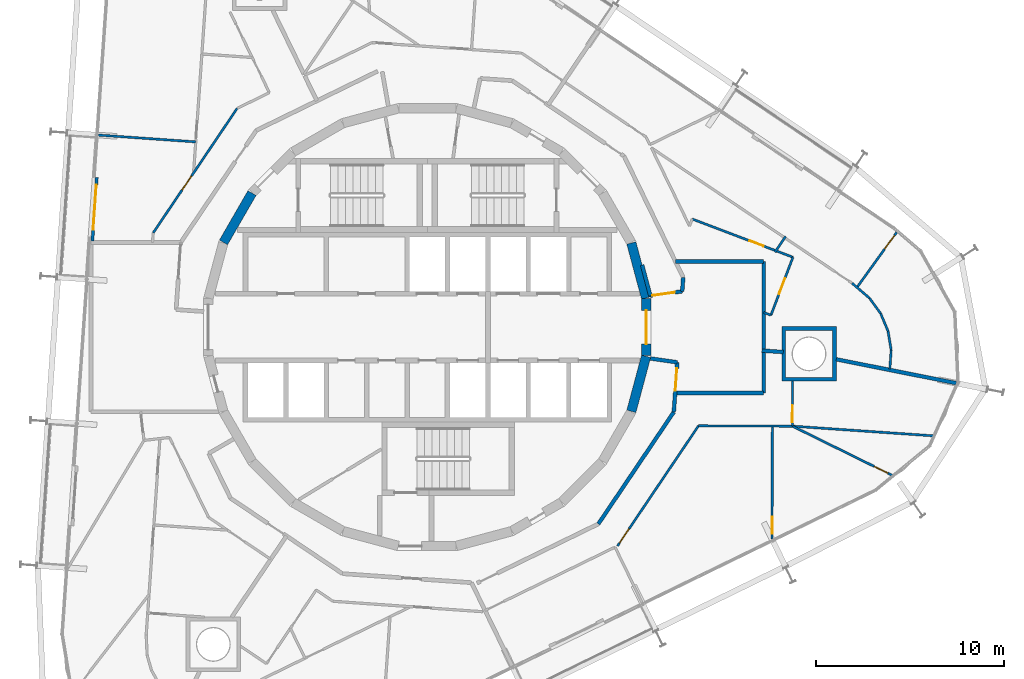
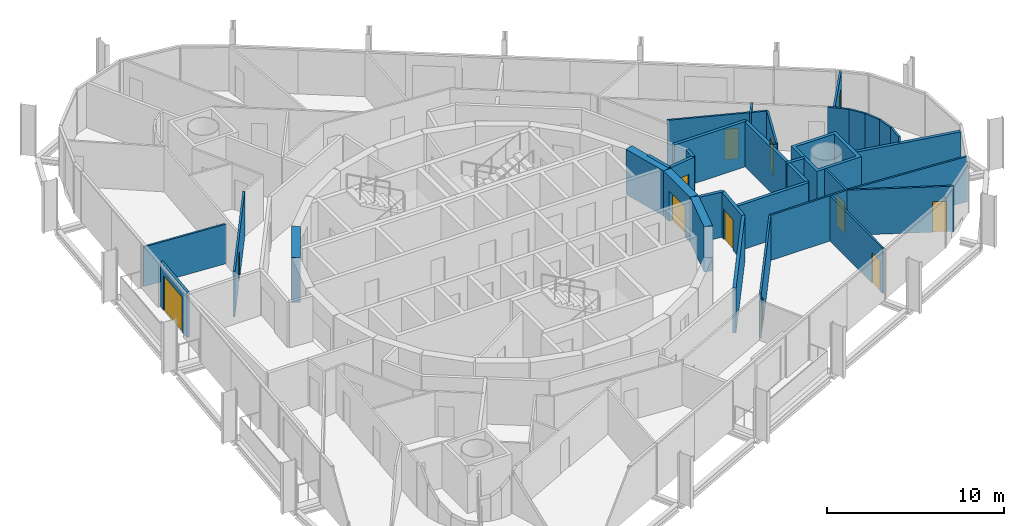
# One storey, part 14 of 17: 35 walls, 12 doors, 12 openings.
"""IFC4 building model written with IfcOpenShell, lengths in metres."""

from ifc_helpers import new_model, si_unit, direction, frame, frame_2d, origin, place, context, subcontext, project, spatial, polyline, rectangle, outline, extrude, material, layer, layer_set, type_object, element, fill, save


model = new_model("IFC4")

# Units and contexts
model_context = context("Model", 3, precision=1e-05, world=origin(), true_north=direction((0.0, 1.0)))
body_context = subcontext(model_context, "Body", "Model", "MODEL_VIEW")
ifc_project = project(units=[si_unit("LENGTHUNIT", "METRE"), si_unit("AREAUNIT", "SQUARE_METRE"), si_unit("VOLUMEUNIT", "CUBIC_METRE"), si_unit("PLANEANGLEUNIT", "RADIAN"), si_unit("MASSUNIT", "GRAM", prefix="KILO")], contexts=[model_context])

# Site, building, storey
site_placement = place(None, origin())
site = spatial("IfcSite", under=ifc_project, at=site_placement, CompositionType="ELEMENT")
building_placement = place(site_placement, origin())
building = spatial("IfcBuilding", under=site, at=building_placement, Name="Spindle Arch Residences", CompositionType="ELEMENT")
storey_placement = place(building_placement, frame((0.0, 0.0, 191.89990234375)))
storey = spatial("IfcBuildingStorey", under=building, at=storey_placement, Name="L48", CompositionType="ELEMENT", Elevation=191.89990234375)

# Wall
ifc_material_1 = material(Name="Concrete C50/60", Category="concrete")
ifc_layer_1 = layer(ifc_material_1, 0.5)
ifc_layer_set_1 = layer_set([ifc_layer_1], Name="Core outline wall 500")
wall_type_1 = type_object("IfcWallType", Name="Core outline wall 500", PredefinedType="SHEAR", material=ifc_layer_set_1)
wall_1_placement = place(storey_placement, frame((10.858154296875, -4.479248046875, 0.0), z_axis=(0.0, 0.0, 1.0), x_axis=(0.258734743916, 0.965948410781, 0.0)))
element("IfcWall", 1, at=wall_1_placement, inside=storey, type_object=wall_type_1, Name="Core outline wall 5", PredefinedType="SHEAR", context=body_context, shape_type="SweptSolid", body=[
    extrude(rectangle(XDim=3.03271484375, YDim=0.5, at=frame_2d((1.516357421875, 0.0))), origin(), (0.0, 0.0, 1.0), 3.1201171875),
])

# Wall, opening, door
wall_2_placement = place(storey_placement, frame((11.647216796875, -1.516357421875, 0.0), z_axis=(0.0, 0.0, 1.0), x_axis=(0.0, 1.0, 0.0)))
wall_2 = element("IfcWall", 2, at=wall_2_placement, inside=storey, type_object=wall_type_1, Name="Core outline wall 6", PredefinedType="SHEAR", context=body_context, shape_type="SweptSolid", body=[
    extrude(rectangle(XDim=3.03271484375, YDim=0.5, at=frame_2d((1.516357421875, 0.0))), origin(), (0.0, 0.0, 1.0), 3.1201171875),
])
opening_1_placement = place(wall_2_placement, frame((0.6162109375, 0.0, 0.0)))
opening_1 = element("IfcOpeningElement", 3, at=opening_1_placement, cuts=wall_2, Name="Opening R5A1-FE01", PredefinedType="OPENING", context=body_context, shape_type="SweptSolid", body=[
    extrude(rectangle(XDim=1.800048828125, YDim=2.10009765625, at=frame_2d((0.89990234375, 1.050048828125))), frame((0.0, 0.260009765625, 0.0), z_axis=(0.0, -1.0, 0.0), x_axis=(1.0, 0.0, 0.0)), (0.0, 0.0, 1.0), 0.52001953125),
])
ifc_material_2 = material(Name="Steel, fire-resisting door", Category="steel")
door_type_1 = type_object("IfcDoorType", Name="Fire-lift lobby door 1800x2100", OperationType="DOUBLE_DOOR_SINGLE_SWING", PredefinedType="DOOR", material=ifc_material_2)
door_1_placement = place(opening_1_placement, origin())
door_1 = element("IfcDoor", 4, at=door_1_placement, inside=storey, type_object=door_type_1, Name="Fire-lift lobby door R5A1-FE01", OperationType="DOUBLE_DOOR_SINGLE_SWING", OverallHeight=2.10009765625, OverallWidth=1.800048828125, PredefinedType="DOOR", context=body_context, shape_type="SweptSolid", body=[
    extrude(rectangle(XDim=1.800048828125, YDim=2.10009765625, at=frame_2d((0.89990234375, 1.050048828125))), frame((0.0, 0.02490234375, 0.0), z_axis=(0.0, -1.0, 0.0), x_axis=(1.0, 0.0, 0.0)), (0.0, 0.0, 1.0), 0.050048828125),
])
fill(opening_1, door_1)

# Walls
for number, where, z_axis, x_axis, name in (
    (5, (11.642822265625, 1.5498046875, 0.0), (0.0, 0.0, 1.0), (-0.258734743916, 0.965948410781, 0.0), "Core outline wall 7"),
    (6, (-9.32861328125, 7.13671875, 0.0), (0.0, 0.0, 1.0), (-0.500087131594, -0.865975092491, 0.0), "Core outline wall 16"),
):
    element("IfcWall", number, at=place(storey_placement, frame(where, z_axis=z_axis, x_axis=x_axis)), inside=storey, type_object=wall_type_1, Name=name, PredefinedType="SHEAR", context=body_context, shape_type="SweptSolid", body=[
        extrude(rectangle(XDim=3.03271484375, YDim=0.5, at=frame_2d((1.516357421875, 0.0))), origin(), (0.0, 0.0, 1.0), 3.1201171875),
    ])
ifc_material_3 = material(Name="Calcium silicate block, plastered")
ifc_layer_2 = layer(ifc_material_3, 0.199951171875)
ifc_layer_set_2 = layer_set([ifc_layer_2], Name="Corridor wall 200")
wall_type_2 = type_object("IfcWallType", Name="Corridor wall 200", PredefinedType="STANDARD", material=ifc_layer_set_2)
wall_3_placement = place(storey_placement, frame((9.101318359375, -10.469970703125, 0.0), z_axis=(0.0, 0.0, 1.0), x_axis=(0.559195469534, 0.829035841718, 0.0)))
element("IfcWall", 7, at=wall_3_placement, inside=storey, type_object=wall_type_2, Name="Corridor wall R5A1-W020", PredefinedType="STANDARD", context=body_context, shape_type="SweptSolid", body=[
    extrude(rectangle(XDim=7.18115234375, YDim=0.199951171875, at=frame_2d((3.590576171875, 0.0))), origin(), (0.0, 0.0, 1.0), 3.1201171875),
])
ifc_material_4 = material(Name="Calcium silicate block, plastered")
ifc_layer_3 = layer(ifc_material_4, 0.199951171875)
ifc_layer_set_3 = layer_set([ifc_layer_3], Name="Fire-lift lobby bay wall 200")
wall_type_3 = type_object("IfcWallType", Name="Fire-lift lobby bay wall 200", PredefinedType="STANDARD", material=ifc_layer_set_3)
wall_4_placement = place(storey_placement, frame((11.8701171875, 1.668212890625, 0.0), z_axis=(0.0, 0.0, 1.0), x_axis=(-0.258836880648, 0.965921047093, 0.0)))
element("IfcWall", 8, at=wall_4_placement, inside=storey, type_object=wall_type_3, Name="Fire-lift lobby bay wall R5A1-W001", PredefinedType="STANDARD", context=body_context, shape_type="SweptSolid", body=[
    extrude(rectangle(XDim=1.695068359375, YDim=0.199951171875, at=frame_2d((0.84765625, 0.0))), origin(), (0.0, 0.0, 1.0), 3.1201171875),
])

# Wall, opening, door
wall_5_placement = place(storey_placement, frame((11.8701171875, 1.668212890625, 0.0), z_axis=(0.0, 0.0, 1.0), x_axis=(0.990271931984, 0.139145609792, 0.0)))
wall_5 = element("IfcWall", 9, at=wall_5_placement, inside=storey, type_object=wall_type_3, Name="Fire-lift lobby bay wall R5A1-W002", PredefinedType="STANDARD", context=body_context, shape_type="SweptSolid", body=[
    extrude(rectangle(XDim=1.71240234375, YDim=0.199951171875, at=frame_2d((0.856201171875, 0.0))), origin(), (0.0, 0.0, 1.0), 3.1201171875),
])
opening_2_placement = place(wall_5_placement, frame((0.110107421875, 0.0, 0.0)))
opening_2 = element("IfcOpeningElement", 10, at=opening_2_placement, cuts=wall_5, Name="Opening R5A1-CD01", PredefinedType="OPENING", context=body_context, shape_type="SweptSolid", body=[
    extrude(rectangle(XDim=1.199951171875, YDim=2.10009765625, at=frame_2d((0.60009765625, 1.050048828125))), frame((0.0, 0.10986328125, 0.0), z_axis=(0.0, -1.0, 0.0), x_axis=(1.0, 0.0, 0.0)), (0.0, 0.0, 1.0), 0.219970703125),
])
ifc_material_5 = material(Name="Steel, fire-resisting door", Category="steel")
door_type_2 = type_object("IfcDoorType", Name="Corridor division door 1200x2100", OperationType="NOTDEFINED", PredefinedType="DOOR", material=ifc_material_5)
door_2_placement = place(opening_2_placement, origin())
door_2 = element("IfcDoor", 11, at=door_2_placement, inside=storey, type_object=door_type_2, Name="Corridor division door R5A1-CD01", OperationType="DOUBLE_DOOR_SINGLE_SWING", OverallHeight=2.10009765625, OverallWidth=1.199951171875, PredefinedType="DOOR", context=body_context, shape_type="SweptSolid", body=[
    extrude(rectangle(XDim=1.199951171875, YDim=2.10009765625, at=frame_2d((0.60009765625, 1.050048828125))), frame((0.0, 0.02490234375, 0.0), z_axis=(0.0, -1.0, 0.0), x_axis=(1.0, 0.0, 0.0)), (0.0, 0.0, 1.0), 0.050048828125),
])
fill(opening_2, door_2)

# Wall
wall_6_placement = place(storey_placement, frame((13.56591796875, 1.906494140625, 0.0), z_axis=(0.0, 0.0, 1.0), x_axis=(0.07005495793, 0.997543133338, 0.0)))
element("IfcWall", 12, at=wall_6_placement, inside=storey, type_object=wall_type_3, Name="Fire-lift lobby bay wall R5A1-W003", PredefinedType="STANDARD", context=body_context, shape_type="SweptSolid", body=[
    extrude(rectangle(XDim=0.7421875, YDim=0.199951171875, at=frame_2d((0.37109375, 0.0))), origin(), (0.0, 0.0, 1.0), 3.1201171875),
])

# Wall, opening, door
wall_7_placement = place(storey_placement, frame((13.116943359375, -4.5166015625, 0.0), z_axis=(0.0, 0.0, 1.0), x_axis=(0.069736659613, 0.997565435601, 0.0)))
wall_7 = element("IfcWall", 13, at=wall_7_placement, inside=storey, type_object=wall_type_3, Name="Fire-lift lobby bay wall R5A1-W013", PredefinedType="STANDARD", context=body_context, shape_type="SweptSolid", body=[
    extrude(rectangle(XDim=2.653564453125, YDim=0.199951171875, at=frame_2d((1.32666015625, 0.0))), origin(), (0.0, 0.0, 1.0), 3.1201171875),
])
opening_3_placement = place(wall_7_placement, frame((1.134033203125, 0.0, 0.0)))
opening_3 = element("IfcOpeningElement", 14, at=opening_3_placement, cuts=wall_7, Name="Opening R5A1-CD02", PredefinedType="OPENING", context=body_context, shape_type="SweptSolid", body=[
    extrude(rectangle(XDim=1.199951171875, YDim=2.10009765625, at=frame_2d((0.60009765625, 1.050048828125))), frame((0.0, 0.10986328125, 0.0), z_axis=(0.0, -1.0, 0.0), x_axis=(1.0, 0.0, 0.0)), (0.0, 0.0, 1.0), 0.219970703125),
])
door_3_placement = place(opening_3_placement, origin())
door_3 = element("IfcDoor", 15, at=door_3_placement, inside=storey, type_object=door_type_2, Name="Corridor division door R5A1-CD02", OperationType="DOUBLE_DOOR_SINGLE_SWING", OverallHeight=2.10009765625, OverallWidth=1.199951171875, PredefinedType="DOOR", context=body_context, shape_type="SweptSolid", body=[
    extrude(rectangle(XDim=1.199951171875, YDim=2.10009765625, at=frame_2d((0.60009765625, 1.050048828125))), frame((0.0, 0.02490234375, 0.0), z_axis=(0.0, -1.0, 0.0), x_axis=(1.0, 0.0, 0.0)), (0.0, 0.0, 1.0), 0.050048828125),
])
fill(opening_3, door_3)

# Walls
wall_8_placement = place(storey_placement, frame((13.302001953125, -1.869384765625, 0.0), z_axis=(0.0, 0.0, 1.0), x_axis=(-0.990274397042, 0.13912806533, 0.0)))
element("IfcWall", 16, at=wall_8_placement, inside=storey, type_object=wall_type_3, Name="Fire-lift lobby bay wall R5A1-W014", PredefinedType="STANDARD", context=body_context, shape_type="SweptSolid", body=[
    extrude(rectangle(XDim=1.446044921875, YDim=0.199951171875, at=frame_2d((0.72314453125, 0.0))), origin(), (0.0, 0.0, 1.0), 3.1201171875),
])
wall_9_placement = place(storey_placement, frame((17.89990234375, -3.5, 0.0), z_axis=(0.0, 0.0, 1.0), x_axis=(0.0, 1.0, 0.0)))
element("IfcWall", 17, at=wall_9_placement, inside=storey, type_object=wall_type_3, Name="Fire-lift lobby bay wall R5A1-W024", PredefinedType="STANDARD", context=body_context, shape_type="SweptSolid", body=[
    extrude(rectangle(XDim=7.0, YDim=0.199951171875, at=frame_2d((3.5, 0.0))), origin(), (0.0, 0.0, 1.0), 3.1201171875),
])
wall_10_placement = place(storey_placement, frame((17.89990234375, 3.5, 0.0), z_axis=(0.0, 0.0, 1.0), x_axis=(-1.0, 0.0, 0.0)))
element("IfcWall", 18, at=wall_10_placement, inside=storey, type_object=wall_type_3, Name="Fire-lift lobby bay wall R5A1-W025", PredefinedType="STANDARD", context=body_context, shape_type="SweptSolid", body=[
    extrude(rectangle(XDim=4.697998046875, YDim=0.199951171875, at=frame_2d((2.34912109375, 0.0))), origin(), (0.0, 0.0, 1.0), 3.1201171875),
])
wall_11_placement = place(storey_placement, frame((13.18798828125, -3.5, 0.0), z_axis=(0.0, 0.0, 1.0), x_axis=(1.0, 0.0, 0.0)))
element("IfcWall", 19, at=wall_11_placement, inside=storey, type_object=wall_type_3, Name="Fire-lift lobby bay wall R5A1-W026", PredefinedType="STANDARD", context=body_context, shape_type="SweptSolid", body=[
    extrude(rectangle(XDim=4.7119140625, YDim=0.199951171875, at=frame_2d((2.35595703125, 0.0))), origin(), (0.0, 0.0, 1.0), 3.1201171875),
])
ifc_material_6 = material(Name="Plasterboard on steel studs", Category="steel")
ifc_layer_4 = layer(ifc_material_6, 0.1201171875)
ifc_layer_set_4 = layer_set([ifc_layer_4], Name="Flat partition 120")
wall_type_4 = type_object("IfcWallType", Name="Flat partition 120", PredefinedType="PARTITIONING", material=ifc_layer_set_4)
wall_12_placement = place(storey_placement, frame((17.89990234375, 0.782958984375, 0.0), z_axis=(0.0, 0.0, 1.0), x_axis=(0.93513272442, -0.354297597677, 0.0)))
element("IfcWall", 20, at=wall_12_placement, inside=storey, type_object=wall_type_4, Name="Flat partition R5A1-W036", PredefinedType="PARTITIONING", context=body_context, shape_type="SweptSolid", body=[
    extrude(rectangle(XDim=0.412841796875, YDim=0.1201171875, at=frame_2d((0.20654296875, 0.0))), origin(), (0.0, 0.0, 1.0), 3.1201171875),
])

# Wall, opening, door
wall_13_placement = place(storey_placement, frame((18.285888671875, 0.63671875, 0.0), z_axis=(0.0, 0.0, 1.0), x_axis=(0.354672075988, 0.934990758518, 0.0)))
wall_13 = element("IfcWall", 21, at=wall_13_placement, inside=storey, type_object=wall_type_4, Name="Flat partition R5A1-W037", PredefinedType="PARTITIONING", context=body_context, shape_type="SweptSolid", body=[
    extrude(rectangle(XDim=3.300048828125, YDim=0.1201171875, at=frame_2d((1.64990234375, 0.0))), origin(), (0.0, 0.0, 1.0), 3.1201171875),
])
opening_4_placement = place(wall_13_placement, frame((1.199951171875, 0.0, 0.0)))
opening_4 = element("IfcOpeningElement", 22, at=opening_4_placement, cuts=wall_13, Name="Opening R5A1-ID01", PredefinedType="OPENING", context=body_context, shape_type="SweptSolid", body=[
    extrude(rectangle(XDim=0.89990234375, YDim=2.10009765625, at=frame_2d((0.449951171875, 1.050048828125))), frame((0.0, 0.070068359375, 0.0), z_axis=(0.0, -1.0, 0.0), x_axis=(1.0, 0.0, 0.0)), (0.0, 0.0, 1.0), 0.14013671875),
])
ifc_material_7 = material(Name="Timber door set", Category="wood")
door_type_3 = type_object("IfcDoorType", Name="Room door 900x2100", OperationType="NOTDEFINED", PredefinedType="DOOR", material=ifc_material_7)
door_4_placement = place(opening_4_placement, origin())
door_4 = element("IfcDoor", 23, at=door_4_placement, inside=storey, type_object=door_type_3, Name="Room door R5A1-ID01", OperationType="SINGLE_SWING_LEFT", OverallHeight=2.10009765625, OverallWidth=0.89990234375, PredefinedType="DOOR", context=body_context, shape_type="SweptSolid", body=[
    extrude(rectangle(XDim=0.89990234375, YDim=2.10009765625, at=frame_2d((0.449951171875, 1.050048828125))), frame((0.0, 0.02490234375, 0.0), z_axis=(0.0, -1.0, 0.0), x_axis=(1.0, 0.0, 0.0)), (0.0, 0.0, 1.0), 0.050048828125),
])
fill(opening_4, door_4)

wall_14_placement = place(storey_placement, frame((19.456298828125, 3.72216796875, 0.0), z_axis=(0.0, 0.0, 1.0), x_axis=(-0.935017484321, 0.3546016131, 0.0)))
wall_14 = element("IfcWall", 24, at=wall_14_placement, inside=storey, type_object=wall_type_4, Name="Flat partition R5A1-W038", PredefinedType="PARTITIONING", context=body_context, shape_type="SweptSolid", body=[
    extrude(rectangle(XDim=5.734375, YDim=0.1201171875, at=frame_2d((2.8671875, 0.0))), origin(), (0.0, 0.0, 1.0), 3.1201171875),
])
opening_5_placement = place(wall_14_placement, frame((1.66943359375, 0.0, 0.0)))
opening_5 = element("IfcOpeningElement", 25, at=opening_5_placement, cuts=wall_14, Name="Opening R5A1-BD01", PredefinedType="OPENING", context=body_context, shape_type="SweptSolid", body=[
    extrude(rectangle(XDim=0.800048828125, YDim=2.10009765625, at=frame_2d((0.39990234375, 1.050048828125))), frame((0.0, 0.070068359375, 0.0), z_axis=(0.0, -1.0, 0.0), x_axis=(1.0, 0.0, 0.0)), (0.0, 0.0, 1.0), 0.14013671875),
])
ifc_material_8 = material(Name="Timber door set", Category="wood")
door_type_4 = type_object("IfcDoorType", Name="Bathroom door 800x2100", OperationType="NOTDEFINED", PredefinedType="DOOR", material=ifc_material_8)
door_5_placement = place(opening_5_placement, origin())
door_5 = element("IfcDoor", 26, at=door_5_placement, inside=storey, type_object=door_type_4, Name="Bathroom door R5A1-BD01", OperationType="SINGLE_SWING_LEFT", OverallHeight=2.10009765625, OverallWidth=0.800048828125, PredefinedType="DOOR", context=body_context, shape_type="SweptSolid", body=[
    extrude(rectangle(XDim=0.800048828125, YDim=2.10009765625, at=frame_2d((0.39990234375, 1.050048828125))), frame((0.0, 0.02490234375, 0.0), z_axis=(0.0, -1.0, 0.0), x_axis=(1.0, 0.0, 0.0)), (0.0, 0.0, 1.0), 0.050048828125),
])
fill(opening_5, door_5)

# Walls
wall_15_placement = place(storey_placement, frame((22.598388671875, 2.3447265625, 0.0), z_axis=(0.0, 0.0, 1.0), x_axis=(0.758596166141, -0.651561092083, 0.0)))
element("IfcWall", 27, at=wall_15_placement, inside=storey, type_object=wall_type_4, Name="Flat partition R5A1-W043", PredefinedType="PARTITIONING", context=body_context, shape_type="SweptSolid", body=[
    extrude(rectangle(XDim=1.22705078125, YDim=0.1201171875, at=frame_2d((0.613525390625, 0.0))), origin(), (0.0, 0.0, 1.0), 3.1201171875),
])
wall_16_placement = place(storey_placement, frame((23.529296875, 1.545166015625, 0.0), z_axis=(0.0, 0.0, 1.0), x_axis=(0.587742994292, -0.809047694923, 0.0)))
element("IfcWall", 28, at=wall_16_placement, inside=storey, type_object=wall_type_4, Name="Flat partition R5A1-W044", PredefinedType="PARTITIONING", context=body_context, shape_type="SweptSolid", body=[
    extrude(rectangle(XDim=1.01611328125, YDim=0.1201171875, at=frame_2d((0.508056640625, 0.0))), origin(), (0.0, 0.0, 1.0), 3.1201171875),
])
for number, where, z_axis, x_axis, name in (
    (29, (24.12646484375, 0.72314453125, 0.0), (0.0, 0.0, 1.0), (0.385229603205, -0.922820758769, 0.0), "Flat partition R5A1-W045"),
    (30, (24.517822265625, -0.21435546875, 0.0), (0.0, 0.0, 1.0), (0.162216216616, -0.986755237669, 0.0), "Flat partition R5A1-W046"),
    (31, (24.6826171875, -1.216796875, 0.0), (0.0, 0.0, 1.0), (-0.069692812564, -0.997568499842, 0.0), "Flat partition R5A1-W047"),
):
    element("IfcWall", number, at=place(storey_placement, frame(where, z_axis=z_axis, x_axis=x_axis)), inside=storey, type_object=wall_type_4, Name=name, PredefinedType="PARTITIONING", context=body_context, shape_type="SweptSolid", body=[
        extrude(rectangle(XDim=1.015869140625, YDim=0.1201171875, at=frame_2d((0.5078125, 0.0))), origin(), (0.0, 0.0, 1.0), 3.1201171875),
    ])

# Wall, opening, door
wall_17_placement = place(storey_placement, frame((24.9775390625, 5.047119140625, 0.0), z_axis=(0.0, 0.0, 1.0), x_axis=(-0.585041443684, -0.811003396523, 0.0)))
wall_17 = element("IfcWall", 32, at=wall_17_placement, inside=storey, type_object=wall_type_4, Name="Flat partition R5A1-W048", PredefinedType="PARTITIONING", context=body_context, shape_type="SweptSolid", body=[
    extrude(rectangle(XDim=3.613037109375, YDim=0.1201171875, at=frame_2d((1.806640625, 0.0))), origin(), (0.0, 0.0, 1.0), 3.1201171875),
])
opening_6_placement = place(wall_17_placement, frame((0.199951171875, 0.0, 0.0)))
opening_6 = element("IfcOpeningElement", 33, at=opening_6_placement, cuts=wall_17, Name="Opening R5A1-ID04", PredefinedType="OPENING", context=body_context, shape_type="SweptSolid", body=[
    extrude(rectangle(XDim=0.89990234375, YDim=2.10009765625, at=frame_2d((0.449951171875, 1.050048828125))), frame((0.0, 0.070068359375, 0.0), z_axis=(0.0, -1.0, 0.0), x_axis=(1.0, 0.0, 0.0)), (0.0, 0.0, 1.0), 0.14013671875),
])
door_6_placement = place(opening_6_placement, origin())
door_6 = element("IfcDoor", 34, at=door_6_placement, inside=storey, type_object=door_type_3, Name="Room door R5A1-ID04", OperationType="SINGLE_SWING_LEFT", OverallHeight=2.10009765625, OverallWidth=0.89990234375, PredefinedType="DOOR", context=body_context, shape_type="SweptSolid", body=[
    extrude(rectangle(XDim=0.89990234375, YDim=2.10009765625, at=frame_2d((0.449951171875, 1.050048828125))), frame((0.0, 0.02490234375, 0.0), z_axis=(0.0, -1.0, 0.0), x_axis=(1.0, 0.0, 0.0)), (0.0, 0.0, 1.0), 0.050048828125),
])
fill(opening_6, door_6)

# Wall
wall_18_placement = place(storey_placement, frame((19.06689453125, 4.832275390625, 0.0), z_axis=(0.0, 0.0, 1.0), x_axis=(-0.559257363459, -0.828994090098, 0.0)))
element("IfcWall", 35, at=wall_18_placement, inside=storey, type_object=wall_type_4, Name="Flat partition R5A1-W050", PredefinedType="PARTITIONING", context=body_context, shape_type="SweptSolid", body=[
    extrude(rectangle(XDim=1.011962890625, YDim=0.1201171875, at=frame_2d((0.505859375, 0.0))), origin(), (0.0, 0.0, 1.0), 3.1201171875),
])

# Wall, opening, door
wall_19_placement = place(storey_placement, frame((-10.1201171875, 11.641845703125, 0.0), z_axis=(0.0, 0.0, 1.0), x_axis=(-0.55920080659, -0.829032241779, 0.0)))
wall_19 = element("IfcWall", 36, at=wall_19_placement, inside=storey, type_object=wall_type_4, Name="Flat partition R5A1-W061", PredefinedType="PARTITIONING", context=body_context, shape_type="SweptSolid", body=[
    extrude(rectangle(XDim=7.98486328125, YDim=0.1201171875, at=frame_2d((3.992431640625, 0.0))), origin(), (0.0, 0.0, 1.0), 3.1201171875),
])
opening_7_placement = place(wall_19_placement, frame((4.346435546875, 0.0, 0.0)))
opening_7 = element("IfcOpeningElement", 37, at=opening_7_placement, cuts=wall_19, Name="Opening R5A1-ID11", PredefinedType="OPENING", context=body_context, shape_type="SweptSolid", body=[
    extrude(rectangle(XDim=0.89990234375, YDim=2.10009765625, at=frame_2d((0.449951171875, 1.050048828125))), frame((0.0, 0.070068359375, 0.0), z_axis=(0.0, -1.0, 0.0), x_axis=(1.0, 0.0, 0.0)), (0.0, 0.0, 1.0), 0.14013671875),
])
door_7_placement = place(opening_7_placement, origin())
door_7 = element("IfcDoor", 38, at=door_7_placement, inside=storey, type_object=door_type_3, Name="Room door R5A1-ID11", OperationType="SINGLE_SWING_LEFT", OverallHeight=2.10009765625, OverallWidth=0.89990234375, PredefinedType="DOOR", context=body_context, shape_type="SweptSolid", body=[
    extrude(rectangle(XDim=0.89990234375, YDim=2.10009765625, at=frame_2d((0.449951171875, 1.050048828125))), frame((0.0, 0.02490234375, 0.0), z_axis=(0.0, -1.0, 0.0), x_axis=(1.0, 0.0, 0.0)), (0.0, 0.0, 1.0), 0.050048828125),
])
fill(opening_7, door_7)

wall_20_placement = place(storey_placement, frame((10.1201171875, -11.641845703125, 0.0), z_axis=(0.0, 0.0, 1.0), x_axis=(0.559201404667, 0.829031838362, 0.0)))
wall_20 = element("IfcWall", 39, at=wall_20_placement, inside=storey, type_object=wall_type_4, Name="Flat partition R5A1-W099", PredefinedType="PARTITIONING", context=body_context, shape_type="SweptSolid", body=[
    extrude(rectangle(XDim=7.708740234375, YDim=0.1201171875, at=frame_2d((3.8544921875, 0.0))), origin(), (0.0, 0.0, 1.0), 3.1201171875),
])
opening_8_placement = place(wall_20_placement, frame((0.199951171875, 0.0, 0.0)))
opening_8 = element("IfcOpeningElement", 40, at=opening_8_placement, cuts=wall_20, Name="Opening R5A1-ID25", PredefinedType="OPENING", context=body_context, shape_type="SweptSolid", body=[
    extrude(rectangle(XDim=0.89990234375, YDim=2.10009765625, at=frame_2d((0.449951171875, 1.050048828125))), frame((0.0, 0.070068359375, 0.0), z_axis=(0.0, -1.0, 0.0), x_axis=(1.0, 0.0, 0.0)), (0.0, 0.0, 1.0), 0.14013671875),
])
door_8_placement = place(opening_8_placement, origin())
door_8 = element("IfcDoor", 41, at=door_8_placement, inside=storey, type_object=door_type_3, Name="Room door R5A1-ID25", OperationType="SINGLE_SWING_RIGHT", OverallHeight=2.10009765625, OverallWidth=0.89990234375, PredefinedType="DOOR", context=body_context, shape_type="SweptSolid", body=[
    extrude(rectangle(XDim=0.89990234375, YDim=2.10009765625, at=frame_2d((0.449951171875, 1.050048828125))), frame((0.0, 0.02490234375, 0.0), z_axis=(0.0, -1.0, 0.0), x_axis=(1.0, 0.0, 0.0)), (0.0, 0.0, 1.0), 0.050048828125),
])
fill(opening_8, door_8)

# Wall
wall_21_placement = place(storey_placement, frame((14.430908203125, -5.2509765625, 0.0), z_axis=(0.0, 0.0, 1.0), x_axis=(0.999994153659, -0.003419451456, 0.0)))
element("IfcWall", 42, at=wall_21_placement, inside=storey, type_object=wall_type_4, Name="Flat partition R5A1-W100", PredefinedType="PARTITIONING", context=body_context, shape_type="SweptSolid", body=[
    extrude(rectangle(XDim=4.997802734375, YDim=0.1201171875, at=frame_2d((2.4990234375, 0.0))), origin(), (0.0, 0.0, 1.0), 3.1201171875),
])

# Wall, opening, door
wall_22_placement = place(storey_placement, frame((19.4287109375, -5.26806640625, 0.0), z_axis=(0.0, 0.0, 1.0), x_axis=(0.003360127656, 0.999994354755, 0.0)))
wall_22 = element("IfcWall", 43, at=wall_22_placement, inside=storey, type_object=wall_type_4, Name="Flat partition R5A1-W101", PredefinedType="PARTITIONING", context=body_context, shape_type="SweptSolid", body=[
    extrude(rectangle(XDim=2.397705078125, YDim=0.1201171875, at=frame_2d((1.19873046875, 0.0))), origin(), (0.0, 0.0, 1.0), 3.1201171875),
])
opening_9_placement = place(wall_22_placement, frame((0.199951171875, 0.0, 0.0)))
opening_9 = element("IfcOpeningElement", 44, at=opening_9_placement, cuts=wall_22, Name="Opening R5A1-ID26", PredefinedType="OPENING", context=body_context, shape_type="SweptSolid", body=[
    extrude(rectangle(XDim=0.89990234375, YDim=2.10009765625, at=frame_2d((0.449951171875, 1.050048828125))), frame((0.0, 0.070068359375, 0.0), z_axis=(0.0, -1.0, 0.0), x_axis=(1.0, 0.0, 0.0)), (0.0, 0.0, 1.0), 0.14013671875),
])
door_9_placement = place(opening_9_placement, origin())
door_9 = element("IfcDoor", 45, at=door_9_placement, inside=storey, type_object=door_type_3, Name="Room door R5A1-ID26", OperationType="SINGLE_SWING_RIGHT", OverallHeight=2.10009765625, OverallWidth=0.89990234375, PredefinedType="DOOR", context=body_context, shape_type="SweptSolid", body=[
    extrude(rectangle(XDim=0.89990234375, YDim=2.10009765625, at=frame_2d((0.449951171875, 1.050048828125))), frame((0.0, 0.02490234375, 0.0), z_axis=(0.0, -1.0, 0.0), x_axis=(1.0, 0.0, 0.0)), (0.0, 0.0, 1.0), 0.050048828125),
])
fill(opening_9, door_9)

wall_23_placement = place(storey_placement, frame((18.342529296875, -11.28173828125, 0.0), z_axis=(0.0, 0.0, 1.0), x_axis=(0.003448675073, 0.999994053302, 0.0)))
wall_23 = element("IfcWall", 46, at=wall_23_placement, inside=storey, type_object=wall_type_4, Name="Flat partition R5A1-W103", PredefinedType="PARTITIONING", context=body_context, shape_type="SweptSolid", body=[
    extrude(rectangle(XDim=6.017333984375, YDim=0.1201171875, at=frame_2d((3.0087890625, 0.0))), origin(), (0.0, 0.0, 1.0), 3.1201171875),
])
opening_10_placement = place(wall_23_placement, frame((0.300048828125, 0.0, 0.0)))
opening_10 = element("IfcOpeningElement", 47, at=opening_10_placement, cuts=wall_23, Name="Opening R5A1-ID27", PredefinedType="OPENING", context=body_context, shape_type="SweptSolid", body=[
    extrude(rectangle(XDim=0.89990234375, YDim=2.10009765625, at=frame_2d((0.449951171875, 1.050048828125))), frame((0.0, 0.070068359375, 0.0), z_axis=(0.0, -1.0, 0.0), x_axis=(1.0, 0.0, 0.0)), (0.0, 0.0, 1.0), 0.14013671875),
])
door_10_placement = place(opening_10_placement, origin())
door_10 = element("IfcDoor", 48, at=door_10_placement, inside=storey, type_object=door_type_3, Name="Room door R5A1-ID27", OperationType="SINGLE_SWING_RIGHT", OverallHeight=2.10009765625, OverallWidth=0.89990234375, PredefinedType="DOOR", context=body_context, shape_type="SweptSolid", body=[
    extrude(rectangle(XDim=0.89990234375, YDim=2.10009765625, at=frame_2d((0.449951171875, 1.050048828125))), frame((0.0, 0.02490234375, 0.0), z_axis=(0.0, -1.0, 0.0), x_axis=(1.0, 0.0, 0.0)), (0.0, 0.0, 1.0), 0.050048828125),
])
fill(opening_10, door_10)

wall_24_placement = place(storey_placement, frame((24.860595703125, -7.94287109375, 0.0), z_axis=(0.0, 0.0, 1.0), x_axis=(-0.897128390861, 0.441769906525, 0.0)))
wall_24 = element("IfcWall", 49, at=wall_24_placement, inside=storey, type_object=wall_type_4, Name="Flat partition R5A1-W104", PredefinedType="PARTITIONING", context=body_context, shape_type="SweptSolid", body=[
    extrude(rectangle(XDim=6.0546875, YDim=0.1201171875, at=frame_2d((3.02734375, 0.0))), origin(), (0.0, 0.0, 1.0), 3.1201171875),
])
opening_11_placement = place(wall_24_placement, frame((0.39990234375, 0.0, 0.0)))
opening_11 = element("IfcOpeningElement", 50, at=opening_11_placement, cuts=wall_24, Name="Opening R5A1-BD06", PredefinedType="OPENING", context=body_context, shape_type="SweptSolid", body=[
    extrude(rectangle(XDim=0.800048828125, YDim=2.10009765625, at=frame_2d((0.39990234375, 1.050048828125))), frame((0.0, 0.070068359375, 0.0), z_axis=(0.0, -1.0, 0.0), x_axis=(1.0, 0.0, 0.0)), (0.0, 0.0, 1.0), 0.14013671875),
])
door_11_placement = place(opening_11_placement, origin())
door_11 = element("IfcDoor", 51, at=door_11_placement, inside=storey, type_object=door_type_4, Name="Bathroom door R5A1-BD06", OperationType="SINGLE_SWING_RIGHT", OverallHeight=2.10009765625, OverallWidth=0.800048828125, PredefinedType="DOOR", context=body_context, shape_type="SweptSolid", body=[
    extrude(rectangle(XDim=0.800048828125, YDim=2.10009765625, at=frame_2d((0.39990234375, 1.050048828125))), frame((0.0, 0.02490234375, 0.0), z_axis=(0.0, -1.0, 0.0), x_axis=(1.0, 0.0, 0.0)), (0.0, 0.0, 1.0), 0.050048828125),
])
fill(opening_11, door_11)

# Walls
wall_25_placement = place(storey_placement, frame((26.96142578125, -5.78515625, 0.0), z_axis=(0.0, 0.0, 1.0), x_axis=(-0.997652165985, 0.068484711466, 0.0)))
element("IfcWall", 52, at=wall_25_placement, inside=storey, type_object=wall_type_4, Name="Flat partition R5A1-W105", PredefinedType="PARTITIONING", context=body_context, shape_type="SweptSolid", body=[
    extrude(rectangle(XDim=7.550537109375, YDim=0.1201171875, at=frame_2d((3.775390625, 0.0))), origin(), (0.0, 0.0, 1.0), 3.1201171875),
])
ifc_material_9 = material(Name="Plasterboard on steel studs", Category="steel")
ifc_layer_5 = layer(ifc_material_9, 0.1201171875)
ifc_layer_set_5 = layer_set([ifc_layer_5], Name="Flat partition 120 under beam 2730")
wall_type_5 = type_object("IfcWallType", Name="Flat partition 120 under beam 2730", PredefinedType="PARTITIONING", material=ifc_layer_set_5)
wall_26_placement = place(storey_placement, frame((-17.51025390625, 10.222412109375, 0.0), z_axis=(0.0, 0.0, 1.0), x_axis=(0.997563184303, -0.069768856397, 0.0)))
element("IfcWall", 53, at=wall_26_placement, inside=storey, type_object=wall_type_5, Name="Flat partition R5A1-W071", PredefinedType="PARTITIONING", context=body_context, shape_type="SweptSolid", body=[
    extrude(rectangle(XDim=5.199951171875, YDim=0.1201171875, at=frame_2d((2.60009765625, 0.0))), origin(), (0.0, 0.0, 1.0), 2.72998046875),
])
ifc_material_10 = material(Name="Calcium silicate block, plastered")
ifc_layer_6 = layer(ifc_material_10, 0.199951171875)
ifc_layer_set_6 = layer_set([ifc_layer_6], Name="Flat party wall 200")
wall_type_6 = type_object("IfcWallType", Name="Flat party wall 200", PredefinedType="STANDARD", material=ifc_layer_set_6)
wall_27_placement = place(storey_placement, frame((17.80029296875, -1.24560546875, 0.0), z_axis=(0.0, 0.0, 1.0), x_axis=(0.997562681713, -0.069776042122, 0.0)))
element("IfcWall", 54, at=wall_27_placement, inside=storey, type_object=wall_type_6, Name="Flat party wall R5A1-W029", PredefinedType="STANDARD", context=body_context, shape_type="SweptSolid", body=[
    extrude(rectangle(XDim=1.14404296875, YDim=0.199951171875, at=frame_2d((0.572021484375, 0.0))), origin(), (0.0, 0.0, 1.0), 3.1201171875),
])
ifc_material_11 = material(Name="Calcium silicate block, plastered")
ifc_layer_7 = layer(ifc_material_11, 0.199951171875)
ifc_layer_set_7 = layer_set([ifc_layer_7], Name="Flat party wall 200 under beam 2730")
wall_type_7 = type_object("IfcWallType", Name="Flat party wall 200 under beam 2730", PredefinedType="STANDARD", material=ifc_layer_set_7)
wall_28_placement = place(storey_placement, frame((21.761962890625, -1.70947265625, 0.0), z_axis=(0.0, 0.0, 1.0), x_axis=(0.980707365343, -0.195481619501, 0.0)))
element("IfcWall", 55, at=wall_28_placement, inside=storey, type_object=wall_type_7, Name="Flat party wall R5A1-W028", PredefinedType="STANDARD", context=body_context, shape_type="SweptSolid", body=[
    extrude(rectangle(XDim=6.511962890625, YDim=0.199951171875, at=frame_2d((3.255859375, 0.0))), origin(), (0.0, 0.0, 1.0), 2.72998046875),
])

# Wall, opening, door
ifc_material_12 = material(Name="Non-combustible mineral wool insulated aluminium faced external wall (K0)", Category="aluminium")
ifc_layer_8 = layer(ifc_material_12, 0.159912109375)
ifc_layer_set_8 = layer_set([ifc_layer_8], Name="Insulated external wall panel 160")
wall_type_8 = type_object("IfcWallType", Name="Insulated external wall panel 160", PredefinedType="STANDARD", material=ifc_layer_set_8)
wall_29_placement = place(storey_placement, frame((-17.587158203125, 7.975341796875, 0.0), z_axis=(0.0, 0.0, 1.0), x_axis=(-0.069813354682, -0.997560071128, 0.0)))
wall_29 = element("IfcWall", 56, at=wall_29_placement, inside=storey, type_object=wall_type_8, Name="External wall L48 bay 14", PredefinedType="STANDARD", context=body_context, shape_type="SweptSolid", body=[
    extrude(rectangle(XDim=3.388671875, YDim=0.159912109375, at=frame_2d((1.6943359375, 0.0))), origin(), (0.0, 0.0, 1.0), 3.1201171875),
])
opening_12_placement = place(wall_29_placement, frame((0.39990234375, 0.0, 0.0)))
opening_12 = element("IfcOpeningElement", 57, at=opening_12_placement, cuts=wall_29, Name="Opening BD14", PredefinedType="OPENING", context=body_context, shape_type="SweptSolid", body=[
    extrude(rectangle(XDim=2.39990234375, YDim=2.39990234375, at=frame_2d((1.199951171875, 1.199951171875))), frame((0.0, 0.08984375, 0.0), z_axis=(0.0, -1.0, 0.0), x_axis=(1.0, 0.0, 0.0)), (0.0, 0.0, 1.0), 0.179931640625),
])
ifc_material_13 = material(Name="Bronze aluminium frame, tinted double glazing", Category="aluminium")
door_type_5 = type_object("IfcDoorType", Name="Sliding glazed balcony door 2400x2400", OperationType="DOUBLE_DOOR_SLIDING", PredefinedType="DOOR", material=ifc_material_13)
door_12_placement = place(opening_12_placement, origin())
door_12 = element("IfcDoor", 58, at=door_12_placement, inside=storey, type_object=door_type_5, Name="Balcony door BD14", OperationType="DOUBLE_DOOR_SLIDING", OverallHeight=2.39990234375, OverallWidth=2.39990234375, PredefinedType="DOOR", context=body_context, shape_type="SweptSolid", body=[
    extrude(rectangle(XDim=2.39990234375, YDim=2.39990234375, at=frame_2d((1.199951171875, 1.199951171875))), frame((0.0, 0.02490234375, 0.0), z_axis=(0.0, -1.0, 0.0), x_axis=(1.0, 0.0, 0.0)), (0.0, 0.0, 1.0), 0.050048828125),
])
fill(opening_12, door_12)

# Wall
ifc_material_14 = material(Name="Calcium silicate block, plastered")
ifc_layer_9 = layer(ifc_material_14, 0.199951171875)
ifc_layer_set_9 = layer_set([ifc_layer_9], Name="Mega-column casing wall 200")
wall_type_9 = type_object("IfcWallType", Name="Mega-column casing wall 200", PredefinedType="STANDARD", material=ifc_layer_set_9)
wall_30_placement = place(storey_placement, origin())
element("IfcWall", 59, at=wall_30_placement, inside=storey, type_object=wall_type_9, Name="Mega-column casing wall R5A1-WC03", PredefinedType="STANDARD", context=body_context, shape_type="SweptSolid", body=[
    extrude(outline(polyline([(21.761962890625, 0.02978515625), (21.761962890625, -2.870361328125), (18.86181640625, -2.870361328125), (18.86181640625, 0.02978515625), (21.761962890625, 0.02978515625)]), holes=[polyline([(19.06201171875, -2.67041015625), (21.56201171875, -2.67041015625), (21.56201171875, -0.17041015625), (19.06201171875, -0.17041015625), (19.06201171875, -2.67041015625)])]), origin(), (0.0, 0.0, 1.0), 3.1201171875),
])

save(model, "model.ifc")
